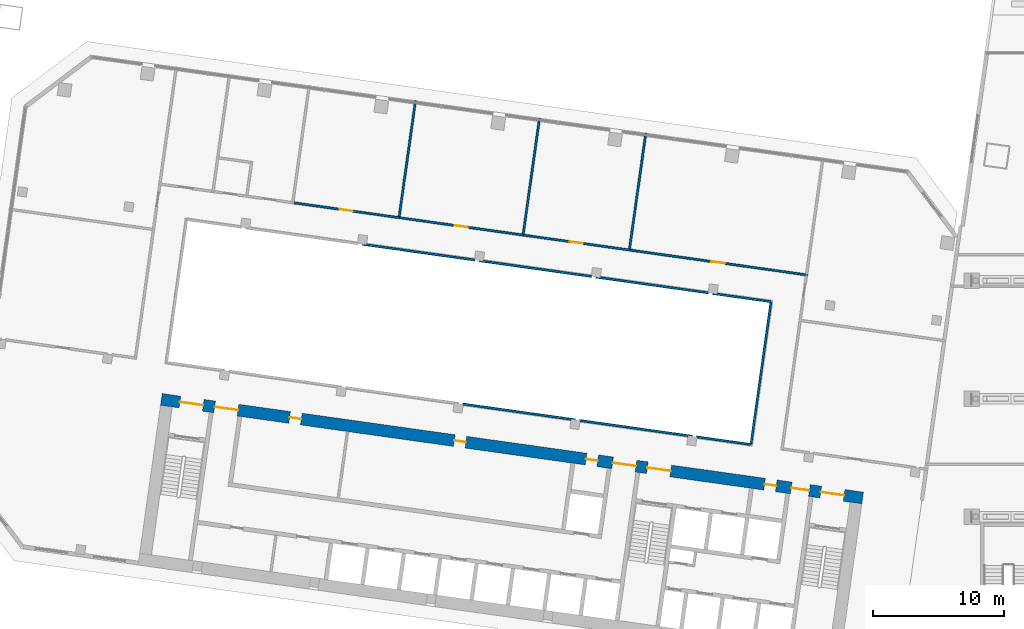
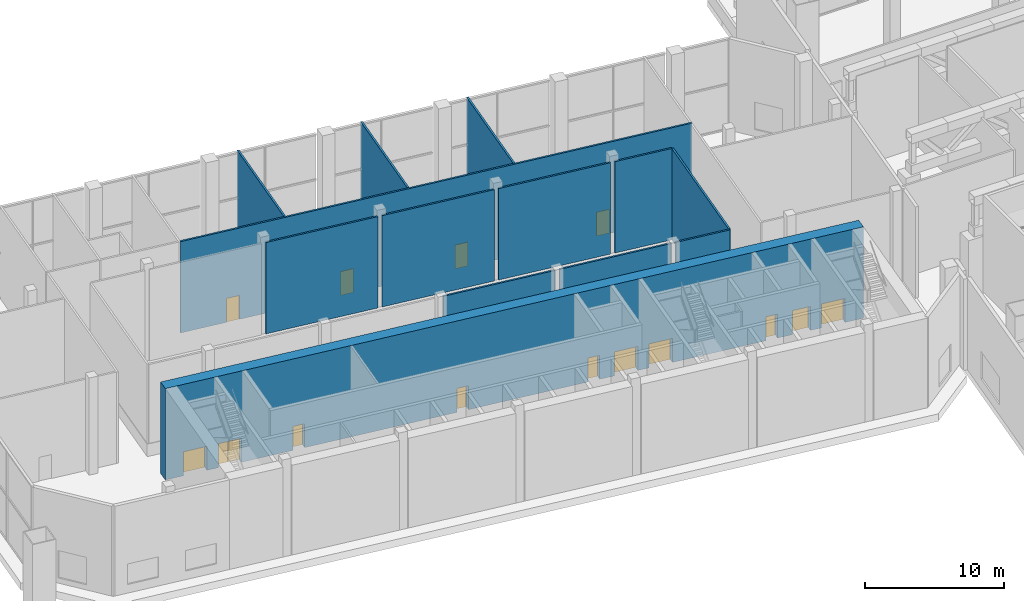
# One storey, part 19 of 31: 14 doors, 13 walls, 14 openings.
"""IFC4 building model written with IfcOpenShell, lengths in metres."""

from ifc_helpers import new_model, si_unit, direction, frame, frame_2d, origin, place, context, subcontext, project, spatial, rectangle, extrude, material, layer, layer_set, type_object, element, fill, save


model = new_model("IFC4")

# Units and contexts
model_context = context("Model", 3, precision=1e-05, world=origin(), true_north=direction((0.0, 1.0)))
body_context = subcontext(model_context, "Body", "Model", "MODEL_VIEW")
ifc_project = project(units=[si_unit("LENGTHUNIT", "METRE"), si_unit("AREAUNIT", "SQUARE_METRE"), si_unit("VOLUMEUNIT", "CUBIC_METRE"), si_unit("PLANEANGLEUNIT", "RADIAN"), si_unit("MASSUNIT", "GRAM", prefix="KILO")], contexts=[model_context])

# Site, building, storey
site_placement = place(None, origin())
site = spatial("IfcSite", under=ifc_project, at=site_placement, CompositionType="ELEMENT")
building_placement = place(site_placement, origin())
building = spatial("IfcBuilding", under=site, at=building_placement, Name="Mirante Cascada Hotel Towers", CompositionType="ELEMENT")
storey_placement = place(building_placement, frame((0.0, 0.0, 9.0)))
storey = spatial("IfcBuildingStorey", under=building, at=storey_placement, Name="L01", CompositionType="ELEMENT", Elevation=9.0)

# Wall, openings, doors
ifc_material_1 = material(Name="Masonry block", Category="masonry")
ifc_layer_1 = layer(ifc_material_1, 0.15)
ifc_layer_set_1 = layer_set([ifc_layer_1], Name="Corridor wall 150 block")
wall_type_1 = type_object("IfcWallType", Name="Corridor wall 150 block", PredefinedType="PARTITIONING", material=ifc_layer_set_1)
wall_1_placement = place(storey_placement, frame((-78.7179, 14.9451, 0.0), z_axis=(0.0, 0.0, 1.0), x_axis=(0.9902683, -0.1391716, 0.0)))
wall_1 = element("IfcWall", 1, at=wall_1_placement, inside=storey, type_object=wall_type_1, Name="Corridor wall T1 L01", PredefinedType="PARTITIONING", context=body_context, shape_type="SweptSolid", body=[
    extrude(rectangle(XDim=39.5771, YDim=0.15, at=frame_2d((19.7886, 0.0))), origin(), (0.0, 0.0, 1.0), 8.0),
])
opening_1_placement = place(wall_1_placement, frame((32.1802, 0.0, 0.0)))
opening_1 = element("IfcOpeningElement", 2, at=opening_1_placement, cuts=wall_1, Name="Opening DP1-L01-05", PredefinedType="OPENING", context=body_context, shape_type="SweptSolid", body=[
    extrude(rectangle(XDim=1.0, YDim=2.1, at=frame_2d((0.5, 1.05))), frame((0.0, 0.075, 0.0), z_axis=(0.0, -1.0, 0.0), x_axis=(1.0, 0.0, 0.0)), (0.0, 0.0, 1.0), 0.15),
])
opening_2_placement = place(wall_1_placement, frame((21.2651, 0.0, 0.0)))
opening_2 = element("IfcOpeningElement", 3, at=opening_2_placement, cuts=wall_1, Name="Opening DP1-L01-06", PredefinedType="OPENING", context=body_context, shape_type="SweptSolid", body=[
    extrude(rectangle(XDim=1.0, YDim=2.1, at=frame_2d((0.5, 1.05))), frame((0.0, 0.075, 0.0), z_axis=(0.0, -1.0, 0.0), x_axis=(1.0, 0.0, 0.0)), (0.0, 0.0, 1.0), 0.15),
])
opening_3_placement = place(wall_1_placement, frame((12.3966, 0.0, 0.0)))
opening_3 = element("IfcOpeningElement", 4, at=opening_3_placement, cuts=wall_1, Name="Opening DP1-L01-07", PredefinedType="OPENING", context=body_context, shape_type="SweptSolid", body=[
    extrude(rectangle(XDim=1.0, YDim=2.1, at=frame_2d((0.5, 1.05))), frame((0.0, 0.075, 0.0), z_axis=(0.0, -1.0, 0.0), x_axis=(1.0, 0.0, 0.0)), (0.0, 0.0, 1.0), 0.15),
])
opening_4_placement = place(wall_1_placement, frame((3.5606, 0.0, 0.0)))
opening_4 = element("IfcOpeningElement", 5, at=opening_4_placement, cuts=wall_1, Name="Opening DP1-L01-08", PredefinedType="OPENING", context=body_context, shape_type="SweptSolid", body=[
    extrude(rectangle(XDim=1.0, YDim=2.1, at=frame_2d((0.5, 1.05))), frame((0.0, 0.075, 0.0), z_axis=(0.0, -1.0, 0.0), x_axis=(1.0, 0.0, 0.0)), (0.0, 0.0, 1.0), 0.15),
])
ifc_material_2 = material(Name="Timber door leaf", Category="wood")
door_type_1 = type_object("IfcDoorType", Name="Single door 1000x2100", OperationType="NOTDEFINED", PredefinedType="DOOR", material=ifc_material_2)
door_1_placement = place(opening_1_placement, frame((1.0, 0.0, 0.0), z_axis=(0.0, 0.0, 1.0), x_axis=(-1.0, 0.0, 0.0)))
door_1 = element("IfcDoor", 6, at=door_1_placement, inside=storey, type_object=door_type_1, Name="Door DP1-L01-05", OperationType="SINGLE_SWING_LEFT", OverallHeight=2.1, OverallWidth=1.0, PredefinedType="DOOR", context=body_context, shape_type="SweptSolid", body=[
    extrude(rectangle(XDim=1.0, YDim=2.1, at=frame_2d((0.5, 1.05))), frame((0.0, 0.025, 0.0), z_axis=(0.0, -1.0, 0.0), x_axis=(1.0, 0.0, 0.0)), (0.0, 0.0, 1.0), 0.05),
])
fill(opening_1, door_1)
door_2_placement = place(opening_2_placement, origin())
door_2 = element("IfcDoor", 7, at=door_2_placement, inside=storey, type_object=door_type_1, Name="Door DP1-L01-06", OperationType="SINGLE_SWING_RIGHT", OverallHeight=2.1, OverallWidth=1.0, PredefinedType="DOOR", context=body_context, shape_type="SweptSolid", body=[
    extrude(rectangle(XDim=1.0, YDim=2.1, at=frame_2d((0.5, 1.05))), frame((0.0, 0.025, 0.0), z_axis=(0.0, -1.0, 0.0), x_axis=(1.0, 0.0, 0.0)), (0.0, 0.0, 1.0), 0.05),
])
fill(opening_2, door_2)
door_3_placement = place(opening_3_placement, frame((1.0, 0.0, 0.0), z_axis=(0.0, 0.0, 1.0), x_axis=(-1.0, 0.0, 0.0)))
door_3 = element("IfcDoor", 8, at=door_3_placement, inside=storey, type_object=door_type_1, Name="Door DP1-L01-07", OperationType="SINGLE_SWING_LEFT", OverallHeight=2.1, OverallWidth=1.0, PredefinedType="DOOR", context=body_context, shape_type="SweptSolid", body=[
    extrude(rectangle(XDim=1.0, YDim=2.1, at=frame_2d((0.5, 1.05))), frame((0.0, 0.025, 0.0), z_axis=(0.0, -1.0, 0.0), x_axis=(1.0, 0.0, 0.0)), (0.0, 0.0, 1.0), 0.05),
])
fill(opening_3, door_3)
door_4_placement = place(opening_4_placement, frame((1.0, 0.0, 0.0), z_axis=(0.0, 0.0, 1.0), x_axis=(-1.0, 0.0, 0.0)))
door_4 = element("IfcDoor", 9, at=door_4_placement, inside=storey, type_object=door_type_1, Name="Door DP1-L01-08", OperationType="SINGLE_SWING_RIGHT", OverallHeight=2.1, OverallWidth=1.0, PredefinedType="DOOR", context=body_context, shape_type="SweptSolid", body=[
    extrude(rectangle(XDim=1.0, YDim=2.1, at=frame_2d((0.5, 1.05))), frame((0.0, 0.025, 0.0), z_axis=(0.0, -1.0, 0.0), x_axis=(1.0, 0.0, 0.0)), (0.0, 0.0, 1.0), 0.05),
])
fill(opening_4, door_4)

# Walls
wall_2_placement = place(storey_placement, frame((-43.8376, -3.4584, 0.0), z_axis=(0.0, 0.0, 1.0), x_axis=(0.1391674, 0.9902689, 0.0)))
element("IfcWall", 10, at=wall_2_placement, inside=storey, type_object=wall_type_1, Name="Corridor wall T1 L01", PredefinedType="PARTITIONING", context=body_context, shape_type="SweptSolid", body=[
    extrude(rectangle(XDim=10.9401, YDim=0.15, at=frame_2d((5.47, 0.0))), origin(), (0.0, 0.0, 1.0), 8.0),
])
wall_3_placement = place(storey_placement, frame((-65.8216, -0.399, 0.0), z_axis=(0.0, 0.0, 1.0), x_axis=(0.9902682, -0.139172, 0.0)))
element("IfcWall", 11, at=wall_3_placement, inside=storey, type_object=wall_type_1, Name="Corridor wall T1 L01", PredefinedType="PARTITIONING", context=body_context, shape_type="SweptSolid", body=[
    extrude(rectangle(XDim=8.6713, YDim=0.15, at=frame_2d((4.3356, 0.0))), origin(), (0.0, 0.0, 1.0), 8.0),
])
wall_4_placement = place(storey_placement, frame((-56.9091, -1.6516, 0.0), z_axis=(0.0, 0.0, 1.0), x_axis=(0.990268, -0.1391735, 0.0)))
element("IfcWall", 12, at=wall_4_placement, inside=storey, type_object=wall_type_1, Name="Corridor wall T1 L01", PredefinedType="PARTITIONING", context=body_context, shape_type="SweptSolid", body=[
    extrude(rectangle(XDim=8.6712, YDim=0.15, at=frame_2d((4.3356, 0.0))), origin(), (0.0, 0.0, 1.0), 8.0),
])
wall_5_placement = place(storey_placement, frame((-47.9967, -2.9041, 0.0), z_axis=(0.0, 0.0, 1.0), x_axis=(0.9902667, -0.1391827, 0.0)))
element("IfcWall", 13, at=wall_5_placement, inside=storey, type_object=wall_type_1, Name="Corridor wall T1 L01", PredefinedType="PARTITIONING", context=body_context, shape_type="SweptSolid", body=[
    extrude(rectangle(XDim=4.1657, YDim=0.15, at=frame_2d((2.0828, 0.0))), origin(), (0.0, 0.0, 1.0), 8.0),
])
for number, where, z_axis, x_axis, name in (
    (14, (-73.4801, 11.7854, 0.0), (0.0, 0.0, 1.0), (0.9902682, -0.139172, 0.0), "Corridor wall T1 L01"),
    (15, (-64.5677, 10.5329, 0.0), (0.0, 0.0, 1.0), (0.9902682, -0.139172, 0.0), "Corridor wall T1 L01"),
    (16, (-55.6553, 9.2803, 0.0), (0.0, 0.0, 1.0), (0.9902682, -0.139172, 0.0), "Corridor wall T1 L01"),
):
    element("IfcWall", number, at=place(storey_placement, frame(where, z_axis=z_axis, x_axis=x_axis)), inside=storey, type_object=wall_type_1, Name=name, PredefinedType="PARTITIONING", context=body_context, shape_type="SweptSolid", body=[
        extrude(rectangle(XDim=8.6713, YDim=0.15, at=frame_2d((4.3356, 0.0))), origin(), (0.0, 0.0, 1.0), 8.0),
    ])
wall_6_placement = place(storey_placement, frame((-46.7429, 8.0277, 0.0), z_axis=(0.0, 0.0, 1.0), x_axis=(0.9902682, -0.1391725, 0.0)))
element("IfcWall", 17, at=wall_6_placement, inside=storey, type_object=wall_type_1, Name="Corridor wall T1 L01", PredefinedType="PARTITIONING", context=body_context, shape_type="SweptSolid", body=[
    extrude(rectangle(XDim=4.4456, YDim=0.15, at=frame_2d((2.2228, 0.0))), origin(), (0.0, 0.0, 1.0), 8.0),
])
ifc_material_3 = material(Name="Masonry block", Category="masonry")
ifc_layer_2 = layer(ifc_material_3, 0.15)
ifc_layer_set_2 = layer_set([ifc_layer_2], Name="Partition 150 block")
wall_type_2 = type_object("IfcWallType", Name="Partition 150 block", PredefinedType="PARTITIONING", material=ifc_layer_set_2)
for number, where, z_axis, x_axis, name in (
    (18, (-53.1009, 11.4206, 0.0), (0.0, 0.0, 1.0), (0.139181, 0.990267, 0.0), "Partition T1 L01"),
    (19, (-61.2075, 12.5599, 0.0), (0.0, 0.0, 1.0), (0.13917, 0.9902685, 0.0), "Partition T1 L01"),
    (20, (-70.6652, 13.8891, 0.0), (0.0, 0.0, 1.0), (0.13917, 0.9902685, 0.0), "Partition T1 L01"),
):
    element("IfcWall", number, at=place(storey_placement, frame(where, z_axis=z_axis, x_axis=x_axis)), inside=storey, type_object=wall_type_2, Name=name, PredefinedType="PARTITIONING", context=body_context, shape_type="SweptSolid", body=[
        extrude(rectangle(XDim=8.9251, YDim=0.15, at=frame_2d((4.4626, 0.0))), origin(), (0.0, 0.0, 1.0), 8.0),
    ])

# Wall, openings, doors
ifc_material_4 = material(Name="Concrete C50/60", Category="concrete")
ifc_layer_3 = layer(ifc_material_4, 0.9)
ifc_layer_set_3 = layer_set([ifc_layer_3], Name="RC core wall 900 C50/60")
wall_type_3 = type_object("IfcWallType", Name="RC core wall 900 C50/60", PredefinedType="SHEAR", material=ifc_layer_set_3)
wall_7_placement = place(storey_placement, frame((-35.326, -7.5629, 0.0), z_axis=(0.0, 0.0, 1.0), x_axis=(-0.9902679, 0.139174, 0.0)))
wall_7 = element("IfcWall", 21, at=wall_7_placement, inside=storey, type_object=wall_type_3, Name="Core wall T1:L01:2", PredefinedType="SHEAR", context=body_context, shape_type="SweptSolid", body=[
    extrude(rectangle(XDim=54.0, YDim=0.9, at=frame_2d((27.0, 0.0))), origin(), (0.0, 0.0, 1.0), 8.0),
])
opening_5_placement = place(wall_7_placement, frame((1.425, 0.0, 0.0)))
opening_5 = element("IfcOpeningElement", 22, at=opening_5_placement, cuts=wall_7, Name="Opening D1-01-C17", PredefinedType="OPENING", context=body_context, shape_type="SweptSolid", body=[
    extrude(rectangle(XDim=1.8, YDim=2.1, at=frame_2d((0.9, 1.05))), frame((0.0, 0.45, 0.0), z_axis=(0.0, -1.0, 0.0), x_axis=(1.0, 0.0, 0.0)), (0.0, 0.0, 1.0), 0.9),
])
opening_6_placement = place(wall_7_placement, frame((14.775, 0.0, 0.0)))
opening_6 = element("IfcOpeningElement", 23, at=opening_6_placement, cuts=wall_7, Name="Opening D1-01-C19", PredefinedType="OPENING", context=body_context, shape_type="SweptSolid", body=[
    extrude(rectangle(XDim=1.8, YDim=2.1, at=frame_2d((0.9, 1.05))), frame((0.0, 0.45, 0.0), z_axis=(0.0, -1.0, 0.0), x_axis=(1.0, 0.0, 0.0)), (0.0, 0.0, 1.0), 0.9),
])
opening_7_placement = place(wall_7_placement, frame((50.775, 0.0, 0.0)))
opening_7 = element("IfcOpeningElement", 24, at=opening_7_placement, cuts=wall_7, Name="Opening D1-01-C21", PredefinedType="OPENING", context=body_context, shape_type="SweptSolid", body=[
    extrude(rectangle(XDim=1.8, YDim=2.1, at=frame_2d((0.9, 1.05))), frame((0.0, 0.45, 0.0), z_axis=(0.0, -1.0, 0.0), x_axis=(1.0, 0.0, 0.0)), (0.0, 0.0, 1.0), 0.9),
])
opening_8_placement = place(wall_7_placement, frame((4.1, 0.0, 0.0)))
opening_8 = element("IfcOpeningElement", 25, at=opening_8_placement, cuts=wall_7, Name="Opening D1-01-C22", PredefinedType="OPENING", context=body_context, shape_type="SweptSolid", body=[
    extrude(rectangle(XDim=1.4, YDim=2.1, at=frame_2d((0.7, 1.05))), frame((0.0, 0.45, 0.0), z_axis=(0.0, -1.0, 0.0), x_axis=(1.0, 0.0, 0.0)), (0.0, 0.0, 1.0), 0.9),
])
opening_9_placement = place(wall_7_placement, frame((17.45, 0.0, 0.0)))
opening_9 = element("IfcOpeningElement", 26, at=opening_9_placement, cuts=wall_7, Name="Opening D1-01-C23", PredefinedType="OPENING", context=body_context, shape_type="SweptSolid", body=[
    extrude(rectangle(XDim=1.8, YDim=2.1, at=frame_2d((0.9, 1.05))), frame((0.0, 0.45, 0.0), z_axis=(0.0, -1.0, 0.0), x_axis=(1.0, 0.0, 0.0)), (0.0, 0.0, 1.0), 0.9),
])
opening_10_placement = place(wall_7_placement, frame((48.1, 0.0, 0.0)))
opening_10 = element("IfcOpeningElement", 27, at=opening_10_placement, cuts=wall_7, Name="Opening D1-01-C24", PredefinedType="OPENING", context=body_context, shape_type="SweptSolid", body=[
    extrude(rectangle(XDim=1.8, YDim=2.1, at=frame_2d((0.9, 1.05))), frame((0.0, 0.45, 0.0), z_axis=(0.0, -1.0, 0.0), x_axis=(1.0, 0.0, 0.0)), (0.0, 0.0, 1.0), 0.9),
])
opening_11_placement = place(wall_7_placement, frame((6.65, 0.0, 0.0)))
opening_11 = element("IfcOpeningElement", 28, at=opening_11_placement, cuts=wall_7, Name="Opening D1-01-C27", PredefinedType="OPENING", context=body_context, shape_type="SweptSolid", body=[
    extrude(rectangle(XDim=0.9, YDim=2.1, at=frame_2d((0.45, 1.05))), frame((0.0, 0.45, 0.0), z_axis=(0.0, -1.0, 0.0), x_axis=(1.0, 0.0, 0.0)), (0.0, 0.0, 1.0), 0.9),
])
opening_12_placement = place(wall_7_placement, frame((20.4, 0.0, 0.0)))
opening_12 = element("IfcOpeningElement", 29, at=opening_12_placement, cuts=wall_7, Name="Opening D1-01-C30", PredefinedType="OPENING", context=body_context, shape_type="SweptSolid", body=[
    extrude(rectangle(XDim=0.9, YDim=2.1, at=frame_2d((0.45, 1.05))), frame((0.0, 0.45, 0.0), z_axis=(0.0, -1.0, 0.0), x_axis=(1.0, 0.0, 0.0)), (0.0, 0.0, 1.0), 0.9),
])
opening_13_placement = place(wall_7_placement, frame((30.55, 0.0, 0.0)))
opening_13 = element("IfcOpeningElement", 30, at=opening_13_placement, cuts=wall_7, Name="Opening D1-01-C31", PredefinedType="OPENING", context=body_context, shape_type="SweptSolid", body=[
    extrude(rectangle(XDim=0.9, YDim=2.1, at=frame_2d((0.45, 1.05))), frame((0.0, 0.45, 0.0), z_axis=(0.0, -1.0, 0.0), x_axis=(1.0, 0.0, 0.0)), (0.0, 0.0, 1.0), 0.9),
])
opening_14_placement = place(wall_7_placement, frame((43.225, 0.0, 0.0)))
opening_14 = element("IfcOpeningElement", 31, at=opening_14_placement, cuts=wall_7, Name="Opening D1-01-C32", PredefinedType="OPENING", context=body_context, shape_type="SweptSolid", body=[
    extrude(rectangle(XDim=0.9, YDim=2.1, at=frame_2d((0.45, 1.05))), frame((0.0, 0.45, 0.0), z_axis=(0.0, -1.0, 0.0), x_axis=(1.0, 0.0, 0.0)), (0.0, 0.0, 1.0), 0.9),
])
ifc_material_5 = material(Name="Hollow metal fire door leaf")
door_type_2 = type_object("IfcDoorType", Name="Double fire door 1400x2100 FD60", OperationType="DOUBLE_DOOR_SINGLE_SWING", PredefinedType="DOOR", material=ifc_material_5)
door_5_placement = place(opening_8_placement, frame((1.4, 0.0, 0.0), z_axis=(0.0, 0.0, 1.0), x_axis=(-1.0, 0.0, 0.0)))
door_5 = element("IfcDoor", 32, at=door_5_placement, inside=storey, type_object=door_type_2, Name="Exit door to gallery T1 L01 22", OperationType="DOUBLE_DOOR_SINGLE_SWING", OverallHeight=2.1, OverallWidth=1.4, PredefinedType="DOOR", context=body_context, shape_type="SweptSolid", body=[
    extrude(rectangle(XDim=0.695, YDim=2.1, at=frame_2d((0.3475, 1.05))), frame((0.0, 0.025, 0.0), z_axis=(0.0, -1.0, 0.0), x_axis=(1.0, 0.0, 0.0)), (0.0, 0.0, 1.0), 0.05),
    extrude(rectangle(XDim=0.695, YDim=2.1, at=frame_2d((1.0525, 1.05))), frame((0.0, 0.025, 0.0), z_axis=(0.0, -1.0, 0.0), x_axis=(1.0, 0.0, 0.0)), (0.0, 0.0, 1.0), 0.05),
])
fill(opening_8, door_5)
ifc_material_6 = material(Name="Hollow metal fire door leaf")
door_type_3 = type_object("IfcDoorType", Name="Double fire door 1800x2100 FD60", OperationType="DOUBLE_DOOR_SINGLE_SWING", PredefinedType="DOOR", material=ifc_material_6)
door_6_placement = place(opening_5_placement, origin())
door_6 = element("IfcDoor", 33, at=door_6_placement, inside=storey, type_object=door_type_3, Name="Exit door to gallery T1 L01 17", OperationType="DOUBLE_DOOR_SINGLE_SWING", OverallHeight=2.1, OverallWidth=1.8, PredefinedType="DOOR", context=body_context, shape_type="SweptSolid", body=[
    extrude(rectangle(XDim=0.895, YDim=2.1, at=frame_2d((0.4475, 1.05))), frame((0.0, 0.025, 0.0), z_axis=(0.0, -1.0, 0.0), x_axis=(1.0, 0.0, 0.0)), (0.0, 0.0, 1.0), 0.05),
    extrude(rectangle(XDim=0.895, YDim=2.1, at=frame_2d((1.3525, 1.05))), frame((0.0, 0.025, 0.0), z_axis=(0.0, -1.0, 0.0), x_axis=(1.0, 0.0, 0.0)), (0.0, 0.0, 1.0), 0.05),
])
fill(opening_5, door_6)
door_7_placement = place(opening_6_placement, origin())
door_7 = element("IfcDoor", 34, at=door_7_placement, inside=storey, type_object=door_type_3, Name="Exit door to gallery T1 L01 19", OperationType="DOUBLE_DOOR_SINGLE_SWING", OverallHeight=2.1, OverallWidth=1.8, PredefinedType="DOOR", context=body_context, shape_type="SweptSolid", body=[
    extrude(rectangle(XDim=0.895, YDim=2.1, at=frame_2d((0.4475, 1.05))), frame((0.0, 0.025, 0.0), z_axis=(0.0, -1.0, 0.0), x_axis=(1.0, 0.0, 0.0)), (0.0, 0.0, 1.0), 0.05),
    extrude(rectangle(XDim=0.895, YDim=2.1, at=frame_2d((1.3525, 1.05))), frame((0.0, 0.025, 0.0), z_axis=(0.0, -1.0, 0.0), x_axis=(1.0, 0.0, 0.0)), (0.0, 0.0, 1.0), 0.05),
])
fill(opening_6, door_7)
door_8_placement = place(opening_7_placement, origin())
door_8 = element("IfcDoor", 35, at=door_8_placement, inside=storey, type_object=door_type_3, Name="Exit door to gallery T1 L01 21", OperationType="DOUBLE_DOOR_SINGLE_SWING", OverallHeight=2.1, OverallWidth=1.8, PredefinedType="DOOR", context=body_context, shape_type="SweptSolid", body=[
    extrude(rectangle(XDim=0.895, YDim=2.1, at=frame_2d((0.4475, 1.05))), frame((0.0, 0.025, 0.0), z_axis=(0.0, -1.0, 0.0), x_axis=(1.0, 0.0, 0.0)), (0.0, 0.0, 1.0), 0.05),
    extrude(rectangle(XDim=0.895, YDim=2.1, at=frame_2d((1.3525, 1.05))), frame((0.0, 0.025, 0.0), z_axis=(0.0, -1.0, 0.0), x_axis=(1.0, 0.0, 0.0)), (0.0, 0.0, 1.0), 0.05),
])
fill(opening_7, door_8)
door_9_placement = place(opening_9_placement, frame((1.8, 0.0, 0.0), z_axis=(0.0, 0.0, 1.0), x_axis=(-1.0, 0.0, 0.0)))
door_9 = element("IfcDoor", 36, at=door_9_placement, inside=storey, type_object=door_type_3, Name="Exit door to gallery T1 L01 23", OperationType="DOUBLE_DOOR_SINGLE_SWING", OverallHeight=2.1, OverallWidth=1.8, PredefinedType="DOOR", context=body_context, shape_type="SweptSolid", body=[
    extrude(rectangle(XDim=0.895, YDim=2.1, at=frame_2d((0.4475, 1.05))), frame((0.0, 0.025, 0.0), z_axis=(0.0, -1.0, 0.0), x_axis=(1.0, 0.0, 0.0)), (0.0, 0.0, 1.0), 0.05),
    extrude(rectangle(XDim=0.895, YDim=2.1, at=frame_2d((1.3525, 1.05))), frame((0.0, 0.025, 0.0), z_axis=(0.0, -1.0, 0.0), x_axis=(1.0, 0.0, 0.0)), (0.0, 0.0, 1.0), 0.05),
])
fill(opening_9, door_9)
door_10_placement = place(opening_10_placement, frame((1.8, 0.0, 0.0), z_axis=(0.0, 0.0, 1.0), x_axis=(-1.0, 0.0, 0.0)))
door_10 = element("IfcDoor", 37, at=door_10_placement, inside=storey, type_object=door_type_3, Name="Exit door to gallery T1 L01 24", OperationType="DOUBLE_DOOR_SINGLE_SWING", OverallHeight=2.1, OverallWidth=1.8, PredefinedType="DOOR", context=body_context, shape_type="SweptSolid", body=[
    extrude(rectangle(XDim=0.895, YDim=2.1, at=frame_2d((0.4475, 1.05))), frame((0.0, 0.025, 0.0), z_axis=(0.0, -1.0, 0.0), x_axis=(1.0, 0.0, 0.0)), (0.0, 0.0, 1.0), 0.05),
    extrude(rectangle(XDim=0.895, YDim=2.1, at=frame_2d((1.3525, 1.05))), frame((0.0, 0.025, 0.0), z_axis=(0.0, -1.0, 0.0), x_axis=(1.0, 0.0, 0.0)), (0.0, 0.0, 1.0), 0.05),
])
fill(opening_10, door_10)
ifc_material_7 = material(Name="Hollow metal fire door leaf")
door_type_4 = type_object("IfcDoorType", Name="Fire door 900x2100 FD60", OperationType="NOTDEFINED", PredefinedType="DOOR", material=ifc_material_7)
door_11_placement = place(opening_11_placement, origin())
door_11 = element("IfcDoor", 38, at=door_11_placement, inside=storey, type_object=door_type_4, Name="Room door T1 L01 27", OperationType="SINGLE_SWING_RIGHT", OverallHeight=2.1, OverallWidth=0.9, PredefinedType="DOOR", context=body_context, shape_type="SweptSolid", body=[
    extrude(rectangle(XDim=0.9, YDim=2.1, at=frame_2d((0.45, 1.05))), frame((0.0, 0.025, 0.0), z_axis=(0.0, -1.0, 0.0), x_axis=(1.0, 0.0, 0.0)), (0.0, 0.0, 1.0), 0.05),
])
fill(opening_11, door_11)
door_12_placement = place(opening_12_placement, origin())
door_12 = element("IfcDoor", 39, at=door_12_placement, inside=storey, type_object=door_type_4, Name="Room door T1 L01 30", OperationType="SINGLE_SWING_RIGHT", OverallHeight=2.1, OverallWidth=0.9, PredefinedType="DOOR", context=body_context, shape_type="SweptSolid", body=[
    extrude(rectangle(XDim=0.9, YDim=2.1, at=frame_2d((0.45, 1.05))), frame((0.0, 0.025, 0.0), z_axis=(0.0, -1.0, 0.0), x_axis=(1.0, 0.0, 0.0)), (0.0, 0.0, 1.0), 0.05),
])
fill(opening_12, door_12)
door_13_placement = place(opening_13_placement, origin())
door_13 = element("IfcDoor", 40, at=door_13_placement, inside=storey, type_object=door_type_4, Name="Room door T1 L01 31", OperationType="SINGLE_SWING_LEFT", OverallHeight=2.1, OverallWidth=0.9, PredefinedType="DOOR", context=body_context, shape_type="SweptSolid", body=[
    extrude(rectangle(XDim=0.9, YDim=2.1, at=frame_2d((0.45, 1.05))), frame((0.0, 0.025, 0.0), z_axis=(0.0, -1.0, 0.0), x_axis=(1.0, 0.0, 0.0)), (0.0, 0.0, 1.0), 0.05),
])
fill(opening_13, door_13)
door_14_placement = place(opening_14_placement, origin())
door_14 = element("IfcDoor", 41, at=door_14_placement, inside=storey, type_object=door_type_4, Name="Room door T1 L01 32", OperationType="SINGLE_SWING_LEFT", OverallHeight=2.1, OverallWidth=0.9, PredefinedType="DOOR", context=body_context, shape_type="SweptSolid", body=[
    extrude(rectangle(XDim=0.9, YDim=2.1, at=frame_2d((0.45, 1.05))), frame((0.0, 0.025, 0.0), z_axis=(0.0, -1.0, 0.0), x_axis=(1.0, 0.0, 0.0)), (0.0, 0.0, 1.0), 0.05),
])
fill(opening_14, door_14)

save(model, "model.ifc")
